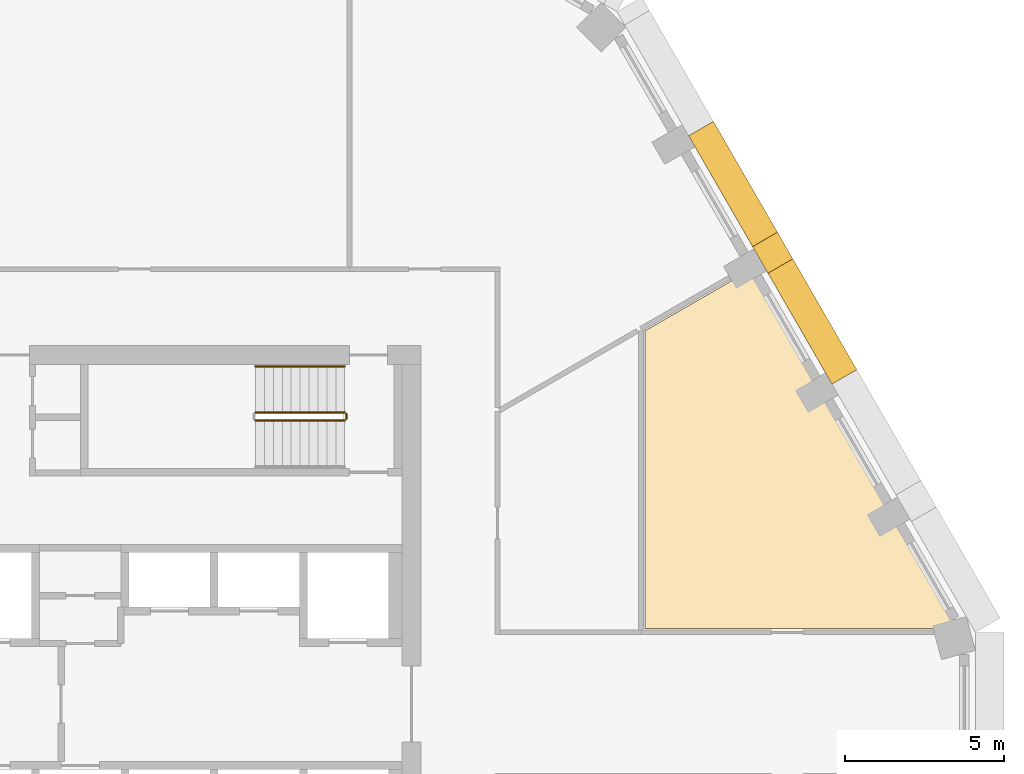
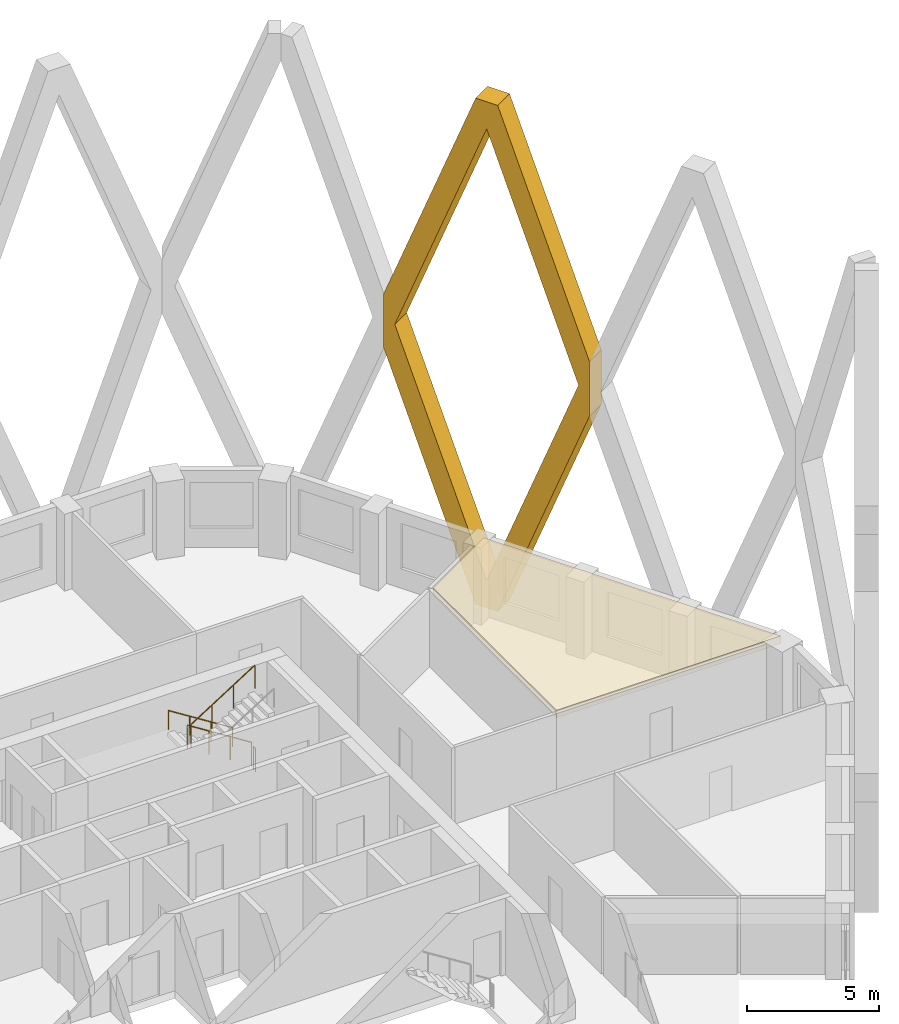
# One storey, part 14 of 15: 4 railings, 2 coverings.
"""IFC4 building model written with IfcOpenShell, lengths in metres."""

from ifc_helpers import new_model, si_unit, direction, frame, origin, origin_2d, place, context, subcontext, project, spatial, polyline, circle, outline, extrude, material, layer, layer_set, type_object, element, save


model = new_model("IFC4")

# Units and contexts
model_context = context("Model", 3, precision=1e-05, world=origin(), true_north=direction((0.0, 1.0)))
body_context = subcontext(model_context, "Body", "Model", "MODEL_VIEW")
ifc_project = project(units=[si_unit("LENGTHUNIT", "METRE"), si_unit("AREAUNIT", "SQUARE_METRE"), si_unit("VOLUMEUNIT", "CUBIC_METRE"), si_unit("PLANEANGLEUNIT", "RADIAN"), si_unit("MASSUNIT", "GRAM", prefix="KILO")], contexts=[model_context])

# Site, building, storey
site_placement = place(None, origin())
site = spatial("IfcSite", under=ifc_project, at=site_placement, CompositionType="ELEMENT")
building_placement = place(site_placement, origin())
building = spatial("IfcBuilding", under=site, at=building_placement, Name="Dhurran Vertical Campus", CompositionType="ELEMENT")
storey_placement = place(building_placement, frame((0.0, 0.0, 207.300048828125)))
storey = spatial("IfcBuildingStorey", under=building, at=storey_placement, Name="L51", CompositionType="ELEMENT", Elevation=207.300048828125)

# Covering
ifc_material_1 = material(Name="Precast concrete C50/60", Category="concrete")
covering_type_1 = type_object("IfcCoveringType", Name="Folded precast fin lattice diamond", PredefinedType="USERDEFINED", material=ifc_material_1)
covering_1_placement = place(storey_placement, frame((26.397216796875, 10.044189453125, 0.0), z_axis=(0.866013897511, 0.50001992892, 0.0), x_axis=(-0.50001992892, 0.866013897511, 0.0)))
element("IfcCovering", 1, at=covering_1_placement, inside=storey, type_object=covering_type_1, Name="FN1 L51.011", ObjectType="FIN", PredefinedType="USERDEFINED", context=body_context, shape_type="SweptSolid", body=[
    extrude(outline(polyline([(9.0, 12.95361328125), (9.0, 10.4462890625), (4.982177734375, 0.0), (4.017822265625, 0.0), (0.0, 10.4462890625), (0.0, 12.95361328125), (4.017822265625, 23.39990234375), (4.982177734375, 23.39990234375), (9.0, 12.95361328125)]), holes=[polyline([(8.517822265625, 11.699951171875), (4.5, 22.146484375), (0.482177734375, 11.699951171875), (4.5, 1.253662109375), (8.517822265625, 11.699951171875)])]), origin(), (0.0, 0.0, 1.0), 0.89990234375),
])

# Railings
ifc_material_2 = material(Name="Stainless steel balustrade", Category="steel")
railing_type_1 = type_object("IfcRailingType", Name="co-RL-GUARD-1100", PredefinedType="GUARDRAIL", material=ifc_material_2)
railing_1_placement = place(storey_placement, frame((11.10009765625, 9.14990234375, 0.17724609375)))
element("IfcRailing", 2, at=railing_1_placement, inside=storey, type_object=railing_type_1, Name="L51 ST2 stair guard 1", PredefinedType="GUARDRAIL", context=body_context, shape_type="SweptSolid", body=[
    extrude(circle(Radius=0.02392578125, at=origin_2d()), frame((0.0, 0.0, 1.076171875), z_axis=(-0.844908973607, 0.0, 0.534910110503), x_axis=(0.0, -1.0, 0.0)), (0.0, 0.0, 1.0), 3.31396484375),
    extrude(circle(Radius=0.02099609375, at=origin_2d()), origin(), (0.0, 0.0, 1.0), 1.052001953125),
    extrude(circle(Radius=0.02099609375, at=origin_2d()), frame((-0.933349609375, 0.0, 0.5908203125)), (0.0, 0.0, 1.0), 1.052001953125),
    extrude(circle(Radius=0.02099609375, at=origin_2d()), frame((-1.86669921875, 0.0, 1.181884765625)), (0.0, 0.0, 1.0), 1.052001953125),
    extrude(circle(Radius=0.02099609375, at=origin_2d()), frame((-2.800048828125, 0.0, 1.772705078125)), (0.0, 0.0, 1.0), 1.052001953125),
])
railing_2_placement = place(storey_placement, frame((8.300048828125, 8.89990234375, 2.127197265625)))
element("IfcRailing", 3, at=railing_2_placement, inside=storey, type_object=railing_type_1, Name="L51 ST2 stair guard 3", PredefinedType="GUARDRAIL", context=body_context, shape_type="SweptSolid", body=[
    extrude(circle(Radius=0.02392578125, at=origin_2d()), frame((0.0, 0.0, 1.076171875), z_axis=(0.844908973607, 0.0, 0.534910110503), x_axis=(0.0, 1.0, 0.0)), (0.0, 0.0, 1.0), 3.31396484375),
    extrude(circle(Radius=0.02099609375, at=origin_2d()), origin(), (0.0, 0.0, 1.0), 1.052001953125),
    extrude(circle(Radius=0.02099609375, at=origin_2d()), frame((0.933349609375, 0.0, 0.5908203125)), (0.0, 0.0, 1.0), 1.052001953125),
    extrude(circle(Radius=0.02099609375, at=origin_2d()), frame((1.86669921875, 0.0, 1.181884765625)), (0.0, 0.0, 1.0), 1.052001953125),
    extrude(circle(Radius=0.02099609375, at=origin_2d()), frame((2.800048828125, 0.0, 1.772705078125)), (0.0, 0.0, 1.0), 1.052001953125),
])
railing_3_placement = place(storey_placement, frame((11.14990234375, 9.10009765625, 0.0)))
element("IfcRailing", 4, at=railing_3_placement, inside=storey, type_object=railing_type_1, Name="L51 ST2 stair guard 4", PredefinedType="GUARDRAIL", context=body_context, shape_type="SweptSolid", body=[
    extrude(circle(Radius=0.02392578125, at=origin_2d()), frame((0.0, 0.0, 1.076171875), z_axis=(0.0, -1.0, 0.0), x_axis=(1.0, 0.0, 0.0)), (0.0, 0.0, 1.0), 0.150146484375),
    extrude(circle(Radius=0.02099609375, at=origin_2d()), origin(), (0.0, 0.0, 1.0), 1.052001953125),
    extrude(circle(Radius=0.02099609375, at=origin_2d()), frame((0.0, -0.150146484375, 0.0)), (0.0, 0.0, 1.0), 1.052001953125),
])
ifc_material_3 = material(Name="Stainless steel handrail", Category="steel")
railing_type_2 = type_object("IfcRailingType", Name="co-RL-HANDRAIL-900", PredefinedType="HANDRAIL", material=ifc_material_3)
railing_4_placement = place(storey_placement, frame((11.10009765625, 10.60009765625, 0.17724609375)))
element("IfcRailing", 5, at=railing_4_placement, inside=storey, type_object=railing_type_2, Name="L51 ST2 stair handrail 1", PredefinedType="HANDRAIL", context=body_context, shape_type="SweptSolid", body=[
    extrude(circle(Radius=0.02392578125, at=origin_2d()), frame((0.0, 0.0, 0.8759765625), z_axis=(-0.844908973607, 0.0, 0.534910110503), x_axis=(0.0, -1.0, 0.0)), (0.0, 0.0, 1.0), 3.31396484375),
    extrude(circle(Radius=0.02099609375, at=origin_2d()), origin(), (0.0, 0.0, 1.0), 0.851806640625),
    extrude(circle(Radius=0.02099609375, at=origin_2d()), frame((-0.933349609375, 0.0, 0.5908203125)), (0.0, 0.0, 1.0), 0.851806640625),
    extrude(circle(Radius=0.02099609375, at=origin_2d()), frame((-1.86669921875, 0.0, 1.181884765625)), (0.0, 0.0, 1.0), 0.851806640625),
    extrude(circle(Radius=0.02099609375, at=origin_2d()), frame((-2.800048828125, 0.0, 1.772705078125)), (0.0, 0.0, 1.0), 0.851806640625),
])

# Covering
ifc_material_4 = material(Name="Mineral fibre ceiling tiles on suspended grid")
ifc_layer = layer(ifc_material_4, 0.35009765625)
ifc_layer_set = layer_set([ifc_layer], Name="Mineral fibre ceiling tiles on suspended grid")
covering_type_2 = type_object("IfcCoveringType", Name="fl-CE-350 suspended ceiling", PredefinedType="CEILING", material=ifc_layer_set)
covering_2_placement = place(storey_placement, frame((0.0, 0.0, 3.199951171875)))
element("IfcCovering", 6, at=covering_2_placement, inside=storey, type_object=covering_type_2, Name="Ceiling 51-19", PredefinedType="CEILING", context=body_context, shape_type="SweptSolid", body=[
    extrude(outline(polyline([(30.343017578125, 2.3701171875), (20.52001953125, 2.3701171875), (20.52001953125, 11.708984375), (23.843017578125, 13.626953125), (27.0458984375, 8.080078125), (30.343017578125, 2.3701171875)])), origin(), (0.0, 0.0, 1.0), 0.35009765625),
])

save(model, "model.ifc")
